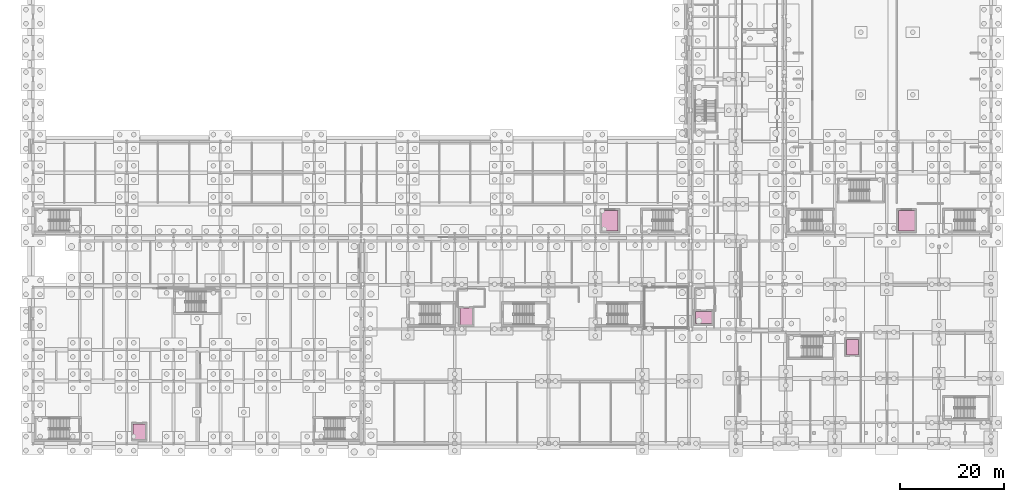
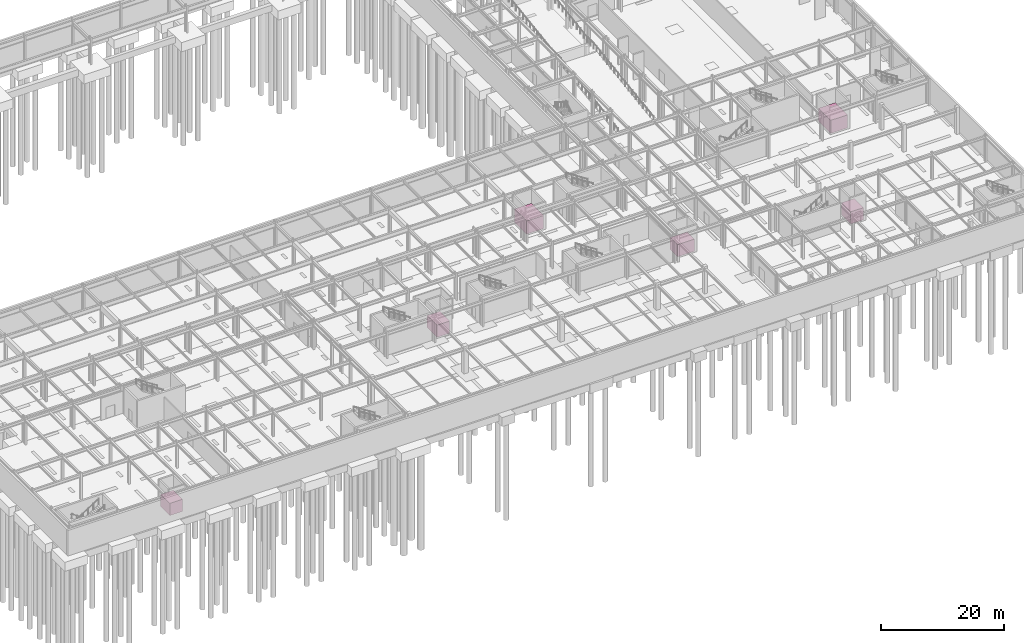
# One storey, part 65 of 65: 6 transport elements.
"""IFC4 building model written with IfcOpenShell, lengths in metres."""

import ifcopenshell
import ifcopenshell.guid

model = None  # the IFC model being written
_history = None  # IfcOwnerHistory: only IFC2X3 demands one
_inside = {}  # id of a spatial element -> (the spatial element, [elements in it])
_under = {}  # id of a project, library or spatial element -> (it, [spatial elements below it])
_declared = {}  # id of a project -> (the project, [libraries it declares])
_typed = {}  # id of a type object -> (the type object, [elements of that type])
_made_of = {}  # id of a material, layer set ... -> (it, [elements and type objects made of it])


def new_model(schema):
    """Start an empty IFC model of exactly this schema.

    Asked for "IFC4X3", IfcOpenShell would pick the latest addendum, in which some entities
    have other attributes; the version numbers below select the first issue.
    IFC2X3 requires an IfcOwnerHistory on every rooted entity: one is made here for all.
    """
    global model, _history
    if schema == "IFC4X3":
        model = ifcopenshell.file(schema_version=(4, 3, 0, 0))
    else:
        model = ifcopenshell.file(schema=schema)
    _inside.clear()
    _under.clear()
    _declared.clear()
    _typed.clear()
    _made_of.clear()
    _history = None
    if model.schema == "IFC2X3":
        org = make("IfcOrganization", Name="unknown")
        user = make(
            "IfcPersonAndOrganization",
            ThePerson=make("IfcPerson", FamilyName="unknown"),
            TheOrganization=org,
        )
        app = make(
            "IfcApplication",
            ApplicationDeveloper=org,
            Version="unknown",
            ApplicationFullName="unknown",
            ApplicationIdentifier="unknown",
        )
        _history = make(
            "IfcOwnerHistory",
            OwningUser=user,
            OwningApplication=app,
            ChangeAction="ADDED",
            CreationDate=0,
        )
    return model


def make(cls, **values):
    """One entity of the class cls with the attributes given. An attribute that is None is left unset."""
    return model.create_entity(
        cls, **{name: value for name, value in values.items() if value is not None}
    )


def rooted(cls, **values):
    """An entity with a GlobalId (a new one), such as an element, a storey or a relation."""
    return make(cls, GlobalId=ifcopenshell.guid.new(), OwnerHistory=_history, **values)


def si_unit(unit_type, name, prefix=None):
    """IfcSIUnit, for example si_unit("LENGTHUNIT", "METRE", prefix="MILLI")."""
    return make("IfcSIUnit", UnitType=unit_type, Prefix=prefix, Name=name)


def assignment(units):
    """IfcUnitAssignment: the units of a project."""
    return None if units is None else make("IfcUnitAssignment", Units=units)


def point(xyz):
    """IfcCartesianPoint."""
    return None if xyz is None else make("IfcCartesianPoint", Coordinates=xyz)


def direction(xyz):
    """IfcDirection."""
    return None if xyz is None else make("IfcDirection", DirectionRatios=xyz)


def frame(location, z_axis=None, x_axis=None):
    """IfcAxis2Placement3D, a coordinate frame: its origin and axes. An axis left out is left unset."""
    return make(
        "IfcAxis2Placement3D",
        Location=point(location),
        Axis=direction(z_axis),
        RefDirection=direction(x_axis),
    )


def frame_2d(location, x_axis=None):
    """IfcAxis2Placement2D, a coordinate frame in the plane: its origin and x axis."""
    return make(
        "IfcAxis2Placement2D", Location=point(location), RefDirection=direction(x_axis)
    )


def origin():
    """The frame at (0, 0, 0) with its axes left unset."""
    return frame((0.0, 0.0, 0.0))


def origin_2d():
    """The frame at (0, 0) in the plane with its x axis left unset."""
    return frame_2d((0.0, 0.0))


def place(relative_to, where):
    """IfcLocalPlacement: puts the frame where relative to a parent placement (None: the world)."""
    return make(
        "IfcLocalPlacement", PlacementRelTo=relative_to, RelativePlacement=where
    )


def context(
    kind, dimensions, precision=None, world=None, true_north=None, identifier=None
):
    """IfcGeometricRepresentationContext, for example the 3D "Model" context."""
    return make(
        "IfcGeometricRepresentationContext",
        ContextIdentifier=identifier,
        ContextType=kind,
        CoordinateSpaceDimension=dimensions,
        Precision=precision,
        WorldCoordinateSystem=world,
        TrueNorth=true_north,
    )


def subcontext(parent, identifier, kind, view, scale=None):
    """IfcGeometricRepresentationSubContext, for example "Body" below "Model"."""
    return make(
        "IfcGeometricRepresentationSubContext",
        ContextIdentifier=identifier,
        ContextType=kind,
        ParentContext=parent,
        TargetScale=scale,
        TargetView=view,
    )


def project(units=None, contexts=None):
    """IfcProject with its units and contexts."""
    return rooted(
        "IfcProject",
        Name="project",
        RepresentationContexts=contexts,
        UnitsInContext=assignment(units),
    )


def spatial(cls, under=None, at=None, **own):
    """A site, building, storey or space (cls), placed at a placement, below another one or the project."""
    s = rooted(cls, ObjectPlacement=at, **own)
    if under is not None:
        _under.setdefault(under.id(), (under, []))[1].append(s)
    return s


def profile(cls, at=None, kind="AREA", **sizes):
    """A parametric profile (cls). Its sizes go by their IFC names, for example OverallWidth=200.0."""
    return make(cls, ProfileType=kind, Position=at, **sizes)


def rectangle(**sizes):
    """IfcRectangleProfileDef."""
    return profile("IfcRectangleProfileDef", **sizes)


def extrude(swept, where, along, depth):
    """IfcExtrudedAreaSolid: the profile swept, set in the frame where, extruded along a direction by depth."""
    return make(
        "IfcExtrudedAreaSolid",
        SweptArea=swept,
        Position=where,
        ExtrudedDirection=direction(along),
        Depth=depth,
    )


def shape(context_of_items, identifier, shape_type, items):
    """IfcShapeRepresentation: the items that make up one representation, for example the "Body"."""
    return make(
        "IfcShapeRepresentation",
        ContextOfItems=context_of_items,
        RepresentationIdentifier=identifier,
        RepresentationType=shape_type,
        Items=items,
    )


def material(Name=None, Category=None):
    """IfcMaterial."""
    return make("IfcMaterial", Name=Name, Category=Category)


def made_of(thing, what):
    """Note that an element or type object is made of a material, layer set ...; save() writes the relation."""
    if what is not None:
        _made_of.setdefault(what.id(), (what, []))[1].append(thing)
    return thing


def type_object(cls, material=None, **own):
    """A type object (cls), such as IfcWallType, which elements share."""
    return made_of(rooted(cls, **own), material)


def element(
    cls,
    number,
    at=None,
    inside=None,
    cuts=None,
    type_object=None,
    material=None,
    context=None,
    identifier="Body",
    shape_type=None,
    held_by="IfcProductDefinitionShape",
    body=None,
    shapes=None,
    **own,
):
    """One element of the class cls, such as IfcWall. Its Tag is "e" and its number.

    at: its placement. inside: the storey or other place that contains it. cuts: it is an
    opening in that element (IfcRelVoidsElement). A single representation is given by context,
    identifier, shape_type and body (its items); several are given by shapes. held_by: the class
    of the entity that holds the representations. save() writes the other relations.
    """
    e = rooted(cls, Tag="e%d" % number, ObjectPlacement=at, **own)
    if body is not None:
        shapes = [shape(context, identifier, shape_type, body)]
    if shapes is not None:
        e.Representation = make(held_by, Representations=shapes)
    if inside is not None:
        _inside.setdefault(inside.id(), (inside, []))[1].append(e)
    if cuts is not None:
        rooted(
            "IfcRelVoidsElement", RelatingBuildingElement=cuts, RelatedOpeningElement=e
        )
    if type_object is not None:
        _typed.setdefault(type_object.id(), (type_object, []))[1].append(e)
    return made_of(e, material)


def aggregate(whole, parts):
    """IfcRelAggregates: a whole, such as a stair, and the parts it consists of."""
    return rooted("IfcRelAggregates", RelatingObject=whole, RelatedObjects=parts)


def save(model, path):
    """Write the relations noted so far, then the file.

    IfcRelAggregates (storeys below a building ...), IfcRelContainedInSpatialStructure (elements
    in a storey), IfcRelDefinesByType, IfcRelAssociatesMaterial and IfcRelDeclares: one each for
    every whole, place, type object, material and project.
    """
    for whole, parts in _under.values():
        aggregate(whole, parts)
    for where, things in _inside.values():
        rooted(
            "IfcRelContainedInSpatialStructure",
            RelatedElements=things,
            RelatingStructure=where,
        )
    for kind, things in _typed.values():
        rooted("IfcRelDefinesByType", RelatedObjects=things, RelatingType=kind)
    for what, things in _made_of.values():
        rooted("IfcRelAssociatesMaterial", RelatedObjects=things, RelatingMaterial=what)
    for by, libraries in _declared.values():
        rooted("IfcRelDeclares", RelatingContext=by, RelatedDefinitions=libraries)
    model.write(path)


model = new_model("IFC4")

# Units and contexts
model_context = context("Model", 3, precision=1e-05, world=origin(), true_north=direction((0.0, 1.0)))
body_context = subcontext(model_context, "Body", "Model", "MODEL_VIEW")
ifc_project = project(units=[si_unit("LENGTHUNIT", "METRE"), si_unit("AREAUNIT", "SQUARE_METRE"), si_unit("VOLUMEUNIT", "CUBIC_METRE"), si_unit("PLANEANGLEUNIT", "RADIAN"), si_unit("MASSUNIT", "GRAM", prefix="KILO")], contexts=[model_context])

# Site, building, storey
site_placement = place(None, origin())
site = spatial("IfcSite", under=ifc_project, at=site_placement, CompositionType="ELEMENT")
building_placement = place(site_placement, origin())
building = spatial("IfcBuilding", under=site, at=building_placement, Name="Kaldris Quays Convention Centre", CompositionType="ELEMENT")
storey_placement = place(building_placement, frame((0.0, 0.0, -5.39990234375)))
storey = spatial("IfcBuildingStorey", under=building, at=storey_placement, Name="B1", CompositionType="ELEMENT", Elevation=-5.39990234375)

# Transport elements
ifc_material_1 = material(Name="Stainless steel 1.4301 lift car", Category="steel")
transport_element_type_1 = type_object("IfcTransportElementType", Name="FIREFIGHTING LIFT FL", PredefinedType="ELEVATOR", material=ifc_material_1)
transport_element_1_placement = place(storey_placement, frame((103.199951171875, 40.39990234375, 0.0), z_axis=(0.0, 0.0, 1.0), x_axis=(1.0, 0.0, 0.0)))
element("IfcTransportElement", 1, at=transport_element_1_placement, inside=storey, type_object=transport_element_type_1, Name="Firefighting Lift FL01", PredefinedType="ELEVATOR", context=body_context, shape_type="SweptSolid", body=[
    extrude(rectangle(XDim=2.3798828125, YDim=3.179931640625, at=origin_2d()), origin(), (0.0, 0.0, 1.0), 2.39990234375),
])
transport_element_2_placement = place(storey_placement, frame((148.800048828125, 40.199951171875, 0.0), z_axis=(0.0, 0.0, 1.0), x_axis=(1.0, 0.0, 0.0)))
element("IfcTransportElement", 2, at=transport_element_2_placement, inside=storey, type_object=transport_element_type_1, Name="Firefighting Lift FL02", PredefinedType="ELEVATOR", context=body_context, shape_type="SweptSolid", body=[
    extrude(rectangle(XDim=3.179931640625, YDim=2.3798828125, at=origin_2d()), origin(), (0.0, 0.0, 1.0), 2.39990234375),
])
ifc_material_2 = material(Name="Steel S355J2 heavy freight car", Category="steel")
transport_element_type_2 = type_object("IfcTransportElementType", Name="FREIGHT LIFT GL", PredefinedType="ELEVATOR", material=ifc_material_2)
for number, where, z_axis, x_axis, name in (
    (3, (130.800048828125, 58.800048828125, -0.000244140625), (0.0, 0.0, 1.0), (1.0, 0.0, 0.0), "Freight Lift GL01"),
    (4, (187.800048828125, 58.800048828125, -0.000244140625), (0.0, 0.0, 1.0), (1.0, 0.0, 0.0), "Freight Lift GL02"),
):
    element("IfcTransportElement", number, at=place(storey_placement, frame(where, z_axis=z_axis, x_axis=x_axis)), inside=storey, type_object=transport_element_type_2, Name=name, PredefinedType="ELEVATOR", context=body_context, shape_type="SweptSolid", body=[
        extrude(rectangle(XDim=3.179931640625, YDim=3.97998046875, at=origin_2d()), origin(), (0.0, 0.0, 1.0), 2.60009765625),
    ])
transport_element_type_3 = type_object("IfcTransportElementType", Name="PASSENGER LIFT PL", PredefinedType="ELEVATOR", material=ifc_material_1)
for number, where, z_axis, x_axis, name in (
    (5, (40.39990234375, 18.300048828125, 0.0), (0.0, 0.0, 1.0), (1.0, 0.0, 0.0), "Passenger Lift PL01"),
    (6, (177.39990234375, 34.5, 0.0), (0.0, 0.0, 1.0), (1.0, 0.0, 0.0), "Passenger Lift PL02"),
):
    element("IfcTransportElement", number, at=place(storey_placement, frame(where, z_axis=z_axis, x_axis=x_axis)), inside=storey, type_object=transport_element_type_3, Name=name, PredefinedType="ELEVATOR", context=body_context, shape_type="SweptSolid", body=[
        extrude(rectangle(XDim=2.3798828125, YDim=2.97998046875, at=origin_2d()), origin(), (0.0, 0.0, 1.0), 2.39990234375),
    ])

save(model, "model.ifc")
